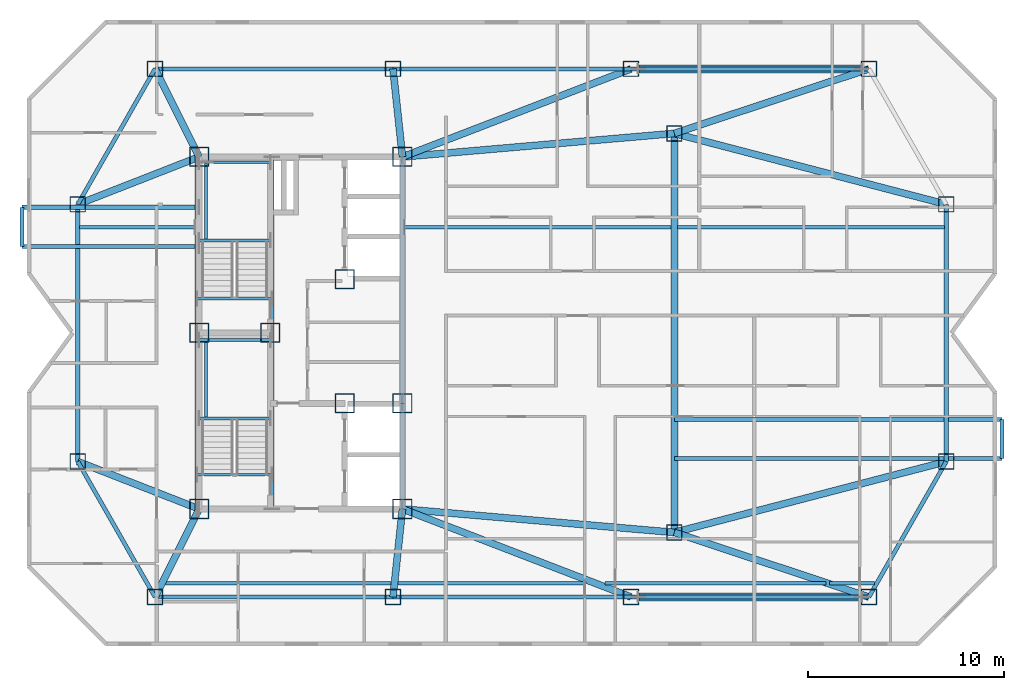
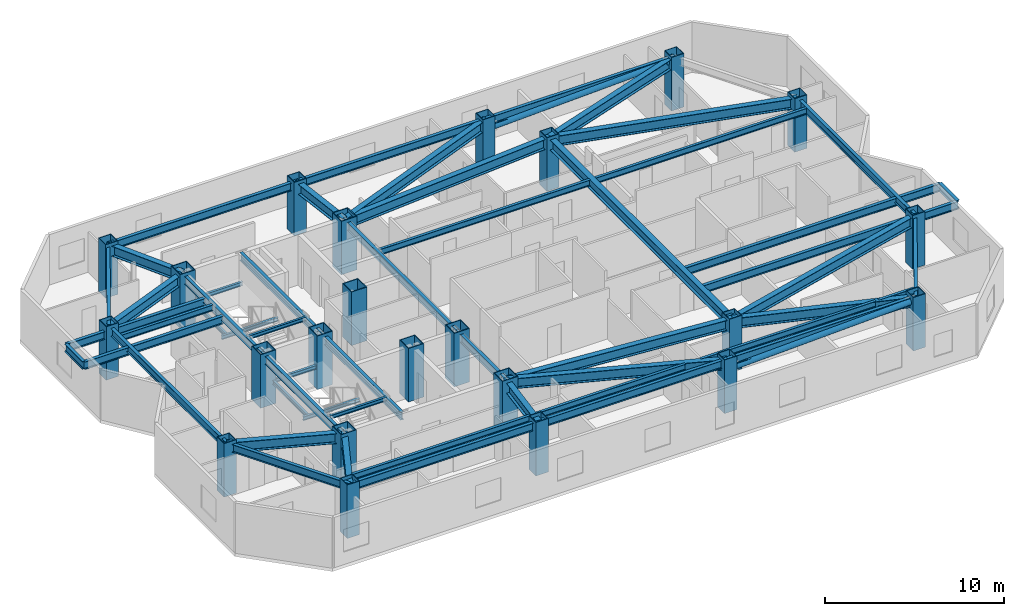
# One storey, part 1 of 9: 53 beams, 23 columns, 2 members.
"""IFC4 building model written with IfcOpenShell, lengths in metres."""

from ifc_helpers import new_model, si_unit, direction, frame, origin, origin_2d, place, context, subcontext, project, spatial, hollow_rectangle, hollow_circle, i_section, extrude, material, material_profile, profile_set, type_object, element, save


model = new_model("IFC4")

# Units and contexts
model_context = context("Model", 3, precision=1e-05, world=origin(), true_north=direction((0.0, 1.0)))
body_context = subcontext(model_context, "Body", "Model", "MODEL_VIEW")
ifc_project = project(units=[si_unit("LENGTHUNIT", "METRE"), si_unit("AREAUNIT", "SQUARE_METRE"), si_unit("VOLUMEUNIT", "CUBIC_METRE"), si_unit("PLANEANGLEUNIT", "RADIAN"), si_unit("MASSUNIT", "GRAM", prefix="KILO")], contexts=[model_context])

# Site, building, storey
site_placement = place(None, origin())
site = spatial("IfcSite", under=ifc_project, at=site_placement, CompositionType="ELEMENT")
building_placement = place(site_placement, origin())
building = spatial("IfcBuilding", under=site, at=building_placement, Name="Khamvora Tower", CompositionType="ELEMENT")
storey_placement = place(building_placement, frame((0.0, 0.0, 235.449951171875)))
storey = spatial("IfcBuildingStorey", under=building, at=storey_placement, Name="L60", CompositionType="ELEMENT", Elevation=235.449951171875)

# Columns
ifc_material_1 = material(Name="Steel S355", Category="steel")
ifc_material_profile_1 = material_profile(ifc_material_1, hollow_rectangle(XDim=0.800048828125, YDim=0.800048828125, WallThickness=0.0400390625, at=origin_2d()), Name="BOX800x800x40")
ifc_profile_set_1 = profile_set([ifc_material_profile_1], Name="Steel S355")
column_type_1 = type_object("IfcColumnType", Name="COL-BOX800", PredefinedType="COLUMN", material=ifc_profile_set_1)
for number, where, z_axis, x_axis, name in (
    (1, (26.75, 14.5, 0.0), (0.0, 0.0, 1.0), (1.0, 0.0, 0.0), "L60 structural frame column S1"),
    (2, (38.9169921875, 14.5, 0.0), (0.0, 0.0, 1.0), (1.0, 0.0, 0.0), "L60 structural frame column S2"),
    (3, (51.0830078125, 14.5, 0.0), (0.0, 0.0, 1.0), (1.0, 0.0, 0.0), "L60 structural frame column S3"),
    (4, (63.25, 14.5, 0.0), (0.0, 0.0, 1.0), (1.0, 0.0, 0.0), "L60 structural frame column S4"),
    (5, (26.75, 41.5, 0.0), (0.0, 0.0, 1.0), (1.0, 0.0, 0.0), "L60 structural frame column N1"),
    (6, (38.9169921875, 41.5, 0.0), (0.0, 0.0, 1.0), (1.0, 0.0, 0.0), "L60 structural frame column N2"),
    (7, (51.0830078125, 41.5, 0.0), (0.0, 0.0, 1.0), (1.0, 0.0, 0.0), "L60 structural frame column N3"),
    (8, (63.25, 41.5, 0.0), (0.0, 0.0, 1.0), (1.0, 0.0, 0.0), "L60 structural frame column N4"),
    (9, (22.800048828125, 21.425048828125, 0.0), (0.0, 0.0, 1.0), (1.0, 0.0, 0.0), "L60 structural frame column W1"),
    (10, (22.800048828125, 34.574951171875, 0.0), (0.0, 0.0, 1.0), (1.0, 0.0, 0.0), "L60 structural frame column W2"),
    (11, (67.199951171875, 21.425048828125, 0.0), (0.0, 0.0, 1.0), (1.0, 0.0, 0.0), "L60 structural frame column E1"),
    (12, (67.199951171875, 34.574951171875, 0.0), (0.0, 0.0, 1.0), (1.0, 0.0, 0.0), "L60 structural frame column E2"),
    (13, (53.300048828125, 17.800048828125, 0.0), (0.0, 0.0, 1.0), (1.0, 0.0, 0.0), "L60 structural frame column M1"),
    (14, (53.300048828125, 38.199951171875, 0.0), (0.0, 0.0, 1.0), (1.0, 0.0, 0.0), "L60 structural frame column M2"),
):
    element("IfcColumn", number, at=place(storey_placement, frame(where, z_axis=z_axis, x_axis=x_axis)), inside=storey, type_object=column_type_1, Name=name, PredefinedType="COLUMN", context=body_context, shape_type="SweptSolid", body=[
        extrude(hollow_rectangle(XDim=0.800048828125, YDim=0.800048828125, WallThickness=0.0400390625, at=origin_2d()), origin(), (0.0, 0.0, 1.0), 3.650146484375),
    ])
ifc_material_2 = material(Name="Structural Steel S460ML", Category="steel")
ifc_material_profile_2 = material_profile(ifc_material_2, hollow_rectangle(XDim=1.0, YDim=1.0, WallThickness=0.050048828125, at=origin_2d()), Name="BOX1000x1000x50")
ifc_profile_set_2 = profile_set([ifc_material_profile_2], Name="Structural Steel S460ML")
column_type_2 = type_object("IfcColumnType", Name="COL-SC-BOX1000", PredefinedType="COLUMN", material=ifc_profile_set_2)
for number, where, z_axis, x_axis, name in (
    (15, (29.0, 19.0, 0.0), (0.0, 0.0, 1.0), (1.0, 0.0, 0.0), "L60 plumb core spine column SC1"),
    (16, (32.64990234375, 28.0, 0.0), (0.0, 0.0, 1.0), (1.0, 0.0, 0.0), "L60 plumb core spine column SC2"),
    (17, (39.39990234375, 19.0, 0.0), (0.0, 0.0, 1.0), (1.0, 0.0, 0.0), "L60 plumb core spine column SC3"),
    (18, (29.0, 28.0, 0.0), (0.0, 0.0, 1.0), (1.0, 0.0, 0.0), "L60 plumb core spine column SC4"),
    (19, (36.449951171875, 24.39990234375, 0.0), (0.0, 0.0, 1.0), (1.0, 0.0, 0.0), "L60 plumb core spine column SC5"),
    (20, (39.39990234375, 24.39990234375, 0.0), (0.0, 0.0, 1.0), (1.0, 0.0, 0.0), "L60 plumb core spine column SC6"),
    (21, (29.0, 37.0, 0.0), (0.0, 0.0, 1.0), (1.0, 0.0, 0.0), "L60 plumb core spine column SC7"),
    (22, (36.449951171875, 30.75, 0.0), (0.0, 0.0, 1.0), (1.0, 0.0, 0.0), "L60 plumb core spine column SC8"),
    (23, (39.39990234375, 37.0, 0.0), (0.0, 0.0, 1.0), (1.0, 0.0, 0.0), "L60 plumb core spine column SC9"),
):
    element("IfcColumn", number, at=place(storey_placement, frame(where, z_axis=z_axis, x_axis=x_axis)), inside=storey, type_object=column_type_2, Name=name, PredefinedType="COLUMN", context=body_context, shape_type="SweptSolid", body=[
        extrude(hollow_rectangle(XDim=1.0, YDim=1.0, WallThickness=0.050048828125, at=origin_2d()), origin(), (0.0, 0.0, 1.0), 3.650146484375),
    ])

# Beams
ifc_material_profile_3 = material_profile(ifc_material_1, i_section(OverallWidth=0.177978515625, OverallDepth=0.406982421875, WebThickness=0.008056640625, FlangeThickness=0.012939453125, FilletRadius=0.010009765625, at=origin_2d()), Name="W410x60")
ifc_profile_set_3 = profile_set([ifc_material_profile_3], Name="Steel S355")
beam_type_1 = type_object("IfcBeamType", Name="BM-JS-W410x60", PredefinedType="JOIST", material=ifc_profile_set_3)
beam_1_placement = place(storey_placement, frame((27.29296875, 15.199951171875, 3.22705078125), z_axis=(1.0, 0.0, 0.0), x_axis=(0.0, 1.0, 0.0)))
element("IfcBeam", 24, at=beam_1_placement, inside=storey, type_object=beam_type_1, Name="L60 secondary floor joist 01", PredefinedType="JOIST", context=body_context, shape_type="SweptSolid", body=[
    extrude(i_section(OverallWidth=0.177978515625, OverallDepth=0.406982421875, WebThickness=0.008056640625, FlangeThickness=0.012939453125, FilletRadius=0.010009765625, at=origin_2d()), origin(), (0.0, 0.0, 1.0), 11.526123046875),
])
beam_2_placement = place(storey_placement, frame((39.166015625, 15.199951171875, 3.22705078125), z_axis=(1.0, 0.0, 0.0), x_axis=(0.0, 1.0, 0.0)))
element("IfcBeam", 25, at=beam_2_placement, inside=storey, type_object=beam_type_1, Name="L60 secondary floor joist 02", PredefinedType="JOIST", context=body_context, shape_type="SweptSolid", body=[
    extrude(i_section(OverallWidth=0.177978515625, OverallDepth=0.406982421875, WebThickness=0.008056640625, FlangeThickness=0.012939453125, FilletRadius=0.010009765625, at=origin_2d()), origin(), (0.0, 0.0, 1.0), 9.611083984375),
])
beam_3_placement = place(storey_placement, frame((49.75390625, 15.199951171875, 3.22705078125), z_axis=(1.0, 0.0, 0.0), x_axis=(0.0, 1.0, 0.0)))
element("IfcBeam", 26, at=beam_3_placement, inside=storey, type_object=beam_type_1, Name="L60 secondary floor joist 03", PredefinedType="JOIST", context=body_context, shape_type="SweptSolid", body=[
    extrude(i_section(OverallWidth=0.177978515625, OverallDepth=0.406982421875, WebThickness=0.008056640625, FlangeThickness=0.012939453125, FilletRadius=0.010009765625, at=origin_2d()), origin(), (0.0, 0.0, 1.0), 11.2900390625),
])
beam_4_placement = place(storey_placement, frame((61.23388671875, 15.199951171875, 3.22705078125), z_axis=(1.0, 0.0, 0.0), x_axis=(0.0, 1.0, 0.0)))
element("IfcBeam", 27, at=beam_4_placement, inside=storey, type_object=beam_type_1, Name="L60 secondary floor joist 04", PredefinedType="JOIST", context=body_context, shape_type="SweptSolid", body=[
    extrude(i_section(OverallWidth=0.177978515625, OverallDepth=0.406982421875, WebThickness=0.008056640625, FlangeThickness=0.012939453125, FilletRadius=0.010009765625, at=origin_2d()), origin(), (0.0, 0.0, 1.0), 2.300048828125),
])
beam_5_placement = place(storey_placement, frame((22.89892578125, 33.39990234375, 3.22705078125), z_axis=(1.0, 0.0, 0.0), x_axis=(0.0, 1.0, 0.0)))
element("IfcBeam", 28, at=beam_5_placement, inside=storey, type_object=beam_type_1, Name="L60 secondary floor joist 05", PredefinedType="JOIST", context=body_context, shape_type="SweptSolid", body=[
    extrude(i_section(OverallWidth=0.177978515625, OverallDepth=0.406982421875, WebThickness=0.008056640625, FlangeThickness=0.012939453125, FilletRadius=0.010009765625, at=origin_2d()), origin(), (0.0, 0.0, 1.0), 5.901123046875),
])
beam_6_placement = place(storey_placement, frame((39.4990234375, 33.39990234375, 3.22705078125), z_axis=(1.0, 0.0, 0.0), x_axis=(0.0, 1.0, 0.0)))
element("IfcBeam", 29, at=beam_6_placement, inside=storey, type_object=beam_type_1, Name="L60 secondary floor joist 06", PredefinedType="JOIST", context=body_context, shape_type="SweptSolid", body=[
    extrude(i_section(OverallWidth=0.177978515625, OverallDepth=0.406982421875, WebThickness=0.008056640625, FlangeThickness=0.012939453125, FilletRadius=0.010009765625, at=origin_2d()), origin(), (0.0, 0.0, 1.0), 13.6279296875),
])
beam_7_placement = place(storey_placement, frame((53.471923828125, 33.39990234375, 3.22705078125), z_axis=(1.0, 0.0, 0.0), x_axis=(0.0, 1.0, 0.0)))
element("IfcBeam", 30, at=beam_7_placement, inside=storey, type_object=beam_type_1, Name="L60 secondary floor joist 07", PredefinedType="JOIST", context=body_context, shape_type="SweptSolid", body=[
    extrude(i_section(OverallWidth=0.177978515625, OverallDepth=0.406982421875, WebThickness=0.008056640625, FlangeThickness=0.012939453125, FilletRadius=0.010009765625, at=origin_2d()), origin(), (0.0, 0.0, 1.0), 13.628173828125),
])
ifc_material_profile_4 = material_profile(ifc_material_1, i_section(OverallWidth=0.14697265625, OverallDepth=0.261962890625, WebThickness=0.007080078125, FlangeThickness=0.010986328125, FilletRadius=0.008056640625, at=origin_2d()), Name="W250x39")
ifc_profile_set_4 = profile_set([ifc_material_profile_4], Name="Steel S355")
beam_type_2 = type_object("IfcBeamType", Name="BM-LN-W250x39", PredefinedType="LINTEL", material=ifc_profile_set_4)
for number, where, z_axis, x_axis, name in (
    (31, (29.0, 23.635009765625, 1.494140625), (1.0, 0.0, 0.0), (0.0, 1.0, 0.0), "L60 ST-01 half-landing support beam 1.1"),
    (32, (29.0, 27.6298828125, 1.494140625), (1.0, 0.0, 0.0), (0.0, 1.0, 0.0), "L60 ST-01 half-landing support beam 1.2"),
):
    element("IfcBeam", number, at=place(storey_placement, frame(where, z_axis=z_axis, x_axis=x_axis)), inside=storey, type_object=beam_type_2, Name=name, PredefinedType="LINTEL", context=body_context, shape_type="SweptSolid", body=[
        extrude(i_section(OverallWidth=0.14697265625, OverallDepth=0.261962890625, WebThickness=0.007080078125, FlangeThickness=0.010986328125, FilletRadius=0.008056640625, at=origin_2d()), origin(), (0.0, 0.0, 1.0), 3.64990234375),
    ])
beam_8_placement = place(storey_placement, frame((29.35009765625, 23.635009765625, 1.494140625), z_axis=(0.0, 1.0, 0.0), x_axis=(-1.0, 0.0, 0.0)))
element("IfcBeam", 33, at=beam_8_placement, inside=storey, type_object=beam_type_2, Name="L60 ST-01 half-landing edge stringer 1", PredefinedType="LINTEL", context=body_context, shape_type="SweptSolid", body=[
    extrude(i_section(OverallWidth=0.14697265625, OverallDepth=0.261962890625, WebThickness=0.007080078125, FlangeThickness=0.010986328125, FilletRadius=0.008056640625, at=origin_2d()), origin(), (0.0, 0.0, 1.0), 3.994873046875),
])
for number, where, z_axis, x_axis, name in (
    (34, (29.0, 32.735107421875, 1.494140625), (1.0, 0.0, 0.0), (0.0, 1.0, 0.0), "L60 ST-02 half-landing support beam 1.1"),
    (35, (29.0, 36.72998046875, 1.494140625), (1.0, 0.0, 0.0), (0.0, 1.0, 0.0), "L60 ST-02 half-landing support beam 1.2"),
):
    element("IfcBeam", number, at=place(storey_placement, frame(where, z_axis=z_axis, x_axis=x_axis)), inside=storey, type_object=beam_type_2, Name=name, PredefinedType="LINTEL", context=body_context, shape_type="SweptSolid", body=[
        extrude(i_section(OverallWidth=0.14697265625, OverallDepth=0.261962890625, WebThickness=0.007080078125, FlangeThickness=0.010986328125, FilletRadius=0.008056640625, at=origin_2d()), origin(), (0.0, 0.0, 1.0), 3.64990234375),
    ])
beam_9_placement = place(storey_placement, frame((29.35009765625, 32.735107421875, 1.494140625), z_axis=(0.0, 1.0, 0.0), x_axis=(-1.0, 0.0, 0.0)))
element("IfcBeam", 36, at=beam_9_placement, inside=storey, type_object=beam_type_2, Name="L60 ST-02 half-landing edge stringer 1", PredefinedType="LINTEL", context=body_context, shape_type="SweptSolid", body=[
    extrude(i_section(OverallWidth=0.14697265625, OverallDepth=0.261962890625, WebThickness=0.007080078125, FlangeThickness=0.010986328125, FilletRadius=0.008056640625, at=origin_2d()), origin(), (0.0, 0.0, 1.0), 3.994873046875),
])
for number, where, z_axis, x_axis, name in (
    (37, (28.89990234375, 20.75, 3.303955078125), (1.0, 0.0, 0.0), (0.0, 1.0, 0.0), "L60 exit stair ST-01 landing trimmer beam"),
    (38, (28.89990234375, 29.75, 3.303955078125), (1.0, 0.0, 0.0), (0.0, 1.0, 0.0), "L60 exit stair ST-02 landing trimmer beam"),
):
    element("IfcBeam", number, at=place(storey_placement, frame(where, z_axis=z_axis, x_axis=x_axis)), inside=storey, type_object=beam_type_2, Name=name, PredefinedType="LINTEL", context=body_context, shape_type="SweptSolid", body=[
        extrude(i_section(OverallWidth=0.14697265625, OverallDepth=0.261962890625, WebThickness=0.007080078125, FlangeThickness=0.010986328125, FilletRadius=0.008056640625, at=origin_2d()), origin(), (0.0, 0.0, 1.0), 3.830078125),
    ])
ifc_material_profile_5 = material_profile(ifc_material_1, i_section(OverallWidth=0.35498046875, OverallDepth=0.695068359375, WebThickness=0.014892578125, FlangeThickness=0.02490234375, FilletRadius=0.01611328125, at=origin_2d()), Name="W690x217")
ifc_profile_set_5 = profile_set([ifc_material_profile_5], Name="Steel S355")
beam_type_3 = type_object("IfcBeamType", Name="BM-PG-W690x217", PredefinedType="BEAM", material=ifc_profile_set_5)
beam_10_placement = place(storey_placement, frame((53.300048828125, 17.800048828125, 3.08203125), z_axis=(0.0, 1.0, 0.0), x_axis=(-1.0, 0.0, 0.0)))
element("IfcBeam", 39, at=beam_10_placement, inside=storey, type_object=beam_type_3, Name="L60 longitudinal frame girder M1-M2", PredefinedType="BEAM", context=body_context, shape_type="SweptSolid", body=[
    extrude(i_section(OverallWidth=0.35498046875, OverallDepth=0.695068359375, WebThickness=0.014892578125, FlangeThickness=0.02490234375, FilletRadius=0.01611328125, at=origin_2d()), origin(), (0.0, 0.0, 1.0), 20.39990234375),
])
beam_11_placement = place(storey_placement, frame((29.0, 19.0, 3.08203125), z_axis=(-0.4472135955, -0.894427191, 0.0), x_axis=(0.894427191, -0.4472135955, 0.0)))
element("IfcBeam", 40, at=beam_11_placement, inside=storey, type_object=beam_type_3, Name="L60 primary floor girder S1", PredefinedType="BEAM", context=body_context, shape_type="SweptSolid", body=[
    extrude(i_section(OverallWidth=0.35498046875, OverallDepth=0.695068359375, WebThickness=0.014892578125, FlangeThickness=0.02490234375, FilletRadius=0.01611328125, at=origin_2d()), origin(), (0.0, 0.0, 1.0), 5.03125),
])
beam_12_placement = place(storey_placement, frame((39.39990234375, 19.0, 3.08203125), z_axis=(-0.106700735484, -0.994291181218, 0.0), x_axis=(0.994291181218, -0.106700735484, 0.0)))
element("IfcBeam", 41, at=beam_12_placement, inside=storey, type_object=beam_type_3, Name="L60 primary floor girder S2", PredefinedType="BEAM", context=body_context, shape_type="SweptSolid", body=[
    extrude(i_section(OverallWidth=0.35498046875, OverallDepth=0.695068359375, WebThickness=0.014892578125, FlangeThickness=0.02490234375, FilletRadius=0.01611328125, at=origin_2d()), origin(), (0.0, 0.0, 1.0), 4.52587890625),
])
beam_13_placement = place(storey_placement, frame((39.39990234375, 19.0, 3.08203125), z_axis=(0.933171601475, -0.359431164759, 0.0), x_axis=(0.359431164759, 0.933171601475, 0.0)))
element("IfcBeam", 42, at=beam_13_placement, inside=storey, type_object=beam_type_3, Name="L60 primary floor girder S3", PredefinedType="BEAM", context=body_context, shape_type="SweptSolid", body=[
    extrude(i_section(OverallWidth=0.35498046875, OverallDepth=0.695068359375, WebThickness=0.014892578125, FlangeThickness=0.02490234375, FilletRadius=0.01611328125, at=origin_2d()), origin(), (0.0, 0.0, 1.0), 12.519775390625),
])
beam_14_placement = place(storey_placement, frame((53.300048828125, 17.800048828125, 3.08203125), z_axis=(0.949157330029, -0.314802101092, 0.0), x_axis=(0.314802101092, 0.949157330029, 0.0)))
element("IfcBeam", 43, at=beam_14_placement, inside=storey, type_object=beam_type_3, Name="L60 primary floor girder S4", PredefinedType="BEAM", context=body_context, shape_type="SweptSolid", body=[
    extrude(i_section(OverallWidth=0.35498046875, OverallDepth=0.695068359375, WebThickness=0.014892578125, FlangeThickness=0.02490234375, FilletRadius=0.01611328125, at=origin_2d()), origin(), (0.0, 0.0, 1.0), 10.48291015625),
])
beam_15_placement = place(storey_placement, frame((29.0, 37.0, 3.08203125), z_axis=(-0.4472135955, 0.894427191, 0.0), x_axis=(-0.894427191, -0.4472135955, 0.0)))
element("IfcBeam", 44, at=beam_15_placement, inside=storey, type_object=beam_type_3, Name="L60 primary floor girder N1", PredefinedType="BEAM", context=body_context, shape_type="SweptSolid", body=[
    extrude(i_section(OverallWidth=0.35498046875, OverallDepth=0.695068359375, WebThickness=0.014892578125, FlangeThickness=0.02490234375, FilletRadius=0.01611328125, at=origin_2d()), origin(), (0.0, 0.0, 1.0), 5.03125),
])
beam_16_placement = place(storey_placement, frame((39.39990234375, 37.0, 3.08203125), z_axis=(-0.106700735484, 0.994291181218, 0.0), x_axis=(-0.994291181218, -0.106700735484, 0.0)))
element("IfcBeam", 45, at=beam_16_placement, inside=storey, type_object=beam_type_3, Name="L60 primary floor girder N2", PredefinedType="BEAM", context=body_context, shape_type="SweptSolid", body=[
    extrude(i_section(OverallWidth=0.35498046875, OverallDepth=0.695068359375, WebThickness=0.014892578125, FlangeThickness=0.02490234375, FilletRadius=0.01611328125, at=origin_2d()), origin(), (0.0, 0.0, 1.0), 4.52587890625),
])
beam_17_placement = place(storey_placement, frame((39.39990234375, 37.0, 3.08203125), z_axis=(0.933171601475, 0.359431164759, 0.0), x_axis=(-0.359431164759, 0.933171601475, 0.0)))
element("IfcBeam", 46, at=beam_17_placement, inside=storey, type_object=beam_type_3, Name="L60 primary floor girder N3", PredefinedType="BEAM", context=body_context, shape_type="SweptSolid", body=[
    extrude(i_section(OverallWidth=0.35498046875, OverallDepth=0.695068359375, WebThickness=0.014892578125, FlangeThickness=0.02490234375, FilletRadius=0.01611328125, at=origin_2d()), origin(), (0.0, 0.0, 1.0), 12.519775390625),
])
beam_18_placement = place(storey_placement, frame((53.300048828125, 38.199951171875, 3.08203125), z_axis=(0.949157330029, 0.314802101092, 0.0), x_axis=(-0.314802101092, 0.949157330029, 0.0)))
element("IfcBeam", 47, at=beam_18_placement, inside=storey, type_object=beam_type_3, Name="L60 primary floor girder N4", PredefinedType="BEAM", context=body_context, shape_type="SweptSolid", body=[
    extrude(i_section(OverallWidth=0.35498046875, OverallDepth=0.695068359375, WebThickness=0.014892578125, FlangeThickness=0.02490234375, FilletRadius=0.01611328125, at=origin_2d()), origin(), (0.0, 0.0, 1.0), 10.48291015625),
])
for number, where, z_axis, x_axis, name in (
    (48, (29.0, 19.0, 3.08203125), (-0.931294712743, 0.36426660294, 0.0), (-0.36426660294, -0.931294712743, 0.0), "L60 primary floor girder W1"),
    (49, (29.0, 37.0, 3.08203125), (-0.931294712743, -0.36426660294, 0.0), (0.36426660294, -0.931294712743, 0.0), "L60 primary floor girder W2"),
):
    element("IfcBeam", number, at=place(storey_placement, frame(where, z_axis=z_axis, x_axis=x_axis)), inside=storey, type_object=beam_type_3, Name=name, PredefinedType="BEAM", context=body_context, shape_type="SweptSolid", body=[
        extrude(i_section(OverallWidth=0.35498046875, OverallDepth=0.695068359375, WebThickness=0.014892578125, FlangeThickness=0.02490234375, FilletRadius=0.01611328125, at=origin_2d()), origin(), (0.0, 0.0, 1.0), 6.6572265625),
    ])
for number, where, z_axis, x_axis, name in (
    (50, (53.300048828125, 17.800048828125, 3.08203125), (0.967635318494, 0.252352710314, 0.0), (-0.252352710314, 0.967635318494, 0.0), "L60 primary floor girder E1"),
    (51, (53.300048828125, 38.199951171875, 3.08203125), (0.967635318494, -0.252352710314, 0.0), (0.252352710314, 0.967635318494, 0.0), "L60 primary floor girder E2"),
):
    element("IfcBeam", number, at=place(storey_placement, frame(where, z_axis=z_axis, x_axis=x_axis)), inside=storey, type_object=beam_type_3, Name=name, PredefinedType="BEAM", context=body_context, shape_type="SweptSolid", body=[
        extrude(i_section(OverallWidth=0.35498046875, OverallDepth=0.695068359375, WebThickness=0.014892578125, FlangeThickness=0.02490234375, FilletRadius=0.01611328125, at=origin_2d()), origin(), (0.0, 0.0, 1.0), 14.36474609375),
    ])
for number, where, z_axis, x_axis, name in (
    (52, (39.39990234375, 19.0, 3.08203125), (0.996294564212, -0.08600663534, 0.0), (0.08600663534, 0.996294564212, 0.0), "L60 primary floor girder M1"),
    (53, (39.39990234375, 37.0, 3.08203125), (0.996294564212, 0.08600663534, 0.0), (-0.08600663534, 0.996294564212, 0.0), "L60 primary floor girder M2"),
):
    element("IfcBeam", number, at=place(storey_placement, frame(where, z_axis=z_axis, x_axis=x_axis)), inside=storey, type_object=beam_type_3, Name=name, PredefinedType="BEAM", context=body_context, shape_type="SweptSolid", body=[
        extrude(i_section(OverallWidth=0.35498046875, OverallDepth=0.695068359375, WebThickness=0.014892578125, FlangeThickness=0.02490234375, FilletRadius=0.01611328125, at=origin_2d()), origin(), (0.0, 0.0, 1.0), 13.951904296875),
    ])
ifc_material_profile_6 = material_profile(ifc_material_1, i_section(OverallWidth=0.208984375, OverallDepth=0.532958984375, WebThickness=0.010009765625, FlangeThickness=0.01611328125, FilletRadius=0.013916015625, at=origin_2d()), Name="W530x92")
ifc_profile_set_6 = profile_set([ifc_material_profile_6], Name="Steel S355")
beam_type_4 = type_object("IfcBeamType", Name="BM-SP-W530x92", PredefinedType="SPANDREL", material=ifc_profile_set_6)
beam_19_placement = place(storey_placement, frame((22.800048828125, 21.425048828125, 3.1630859375), z_axis=(0.495456118564, -0.868632968853, 0.0), x_axis=(0.868632968853, 0.495456118564, 0.0)))
element("IfcBeam", 54, at=beam_19_placement, inside=storey, type_object=beam_type_4, Name="L60 perimeter spandrel beam W1-S1", PredefinedType="SPANDREL", context=body_context, shape_type="SweptSolid", body=[
    extrude(i_section(OverallWidth=0.208984375, OverallDepth=0.532958984375, WebThickness=0.010009765625, FlangeThickness=0.01611328125, FilletRadius=0.013916015625, at=origin_2d()), origin(), (0.0, 0.0, 1.0), 7.972412109375),
])
beam_20_placement = place(storey_placement, frame((26.75, 14.5, 3.1630859375), z_axis=(1.0, 0.0, 0.0), x_axis=(0.0, 1.0, 0.0)))
element("IfcBeam", 55, at=beam_20_placement, inside=storey, type_object=beam_type_4, Name="L60 perimeter spandrel beam S1-S2", PredefinedType="SPANDREL", context=body_context, shape_type="SweptSolid", body=[
    extrude(i_section(OverallWidth=0.208984375, OverallDepth=0.532958984375, WebThickness=0.010009765625, FlangeThickness=0.01611328125, FilletRadius=0.013916015625, at=origin_2d()), origin(), (0.0, 0.0, 1.0), 12.1669921875),
])
beam_21_placement = place(storey_placement, frame((38.9169921875, 14.5, 3.1630859375), z_axis=(1.0, 0.0, 0.0), x_axis=(0.0, 1.0, 0.0)))
element("IfcBeam", 56, at=beam_21_placement, inside=storey, type_object=beam_type_4, Name="L60 perimeter spandrel beam S2-S3", PredefinedType="SPANDREL", context=body_context, shape_type="SweptSolid", body=[
    extrude(i_section(OverallWidth=0.208984375, OverallDepth=0.532958984375, WebThickness=0.010009765625, FlangeThickness=0.01611328125, FilletRadius=0.013916015625, at=origin_2d()), origin(), (0.0, 0.0, 1.0), 12.166015625),
])
beam_22_placement = place(storey_placement, frame((51.0830078125, 14.5, 3.1630859375), z_axis=(1.0, 0.0, 0.0), x_axis=(0.0, 1.0, 0.0)))
element("IfcBeam", 57, at=beam_22_placement, inside=storey, type_object=beam_type_4, Name="L60 perimeter spandrel beam S3-S4", PredefinedType="SPANDREL", context=body_context, shape_type="SweptSolid", body=[
    extrude(i_section(OverallWidth=0.208984375, OverallDepth=0.532958984375, WebThickness=0.010009765625, FlangeThickness=0.01611328125, FilletRadius=0.013916015625, at=origin_2d()), origin(), (0.0, 0.0, 1.0), 12.1669921875),
])
beam_23_placement = place(storey_placement, frame((63.25, 14.5, 3.1630859375), z_axis=(0.495456118564, 0.868632968853, 0.0), x_axis=(-0.868632968853, 0.495456118564, 0.0)))
element("IfcBeam", 58, at=beam_23_placement, inside=storey, type_object=beam_type_4, Name="L60 perimeter spandrel beam S4-E1", PredefinedType="SPANDREL", context=body_context, shape_type="SweptSolid", body=[
    extrude(i_section(OverallWidth=0.208984375, OverallDepth=0.532958984375, WebThickness=0.010009765625, FlangeThickness=0.01611328125, FilletRadius=0.013916015625, at=origin_2d()), origin(), (0.0, 0.0, 1.0), 7.972412109375),
])
beam_24_placement = place(storey_placement, frame((67.199951171875, 21.425048828125, 3.1630859375), z_axis=(0.0, 1.0, 0.0), x_axis=(-1.0, 0.0, 0.0)))
element("IfcBeam", 59, at=beam_24_placement, inside=storey, type_object=beam_type_4, Name="L60 perimeter spandrel beam E1-E2", PredefinedType="SPANDREL", context=body_context, shape_type="SweptSolid", body=[
    extrude(i_section(OverallWidth=0.208984375, OverallDepth=0.532958984375, WebThickness=0.010009765625, FlangeThickness=0.01611328125, FilletRadius=0.013916015625, at=origin_2d()), origin(), (0.0, 0.0, 1.0), 13.14990234375),
])
beam_25_placement = place(storey_placement, frame((63.25, 41.5, 3.1630859375), z_axis=(-1.0, 0.0, 0.0), x_axis=(0.0, -1.0, 0.0)))
element("IfcBeam", 60, at=beam_25_placement, inside=storey, type_object=beam_type_4, Name="L60 perimeter spandrel beam N4-N3", PredefinedType="SPANDREL", context=body_context, shape_type="SweptSolid", body=[
    extrude(i_section(OverallWidth=0.208984375, OverallDepth=0.532958984375, WebThickness=0.010009765625, FlangeThickness=0.01611328125, FilletRadius=0.013916015625, at=origin_2d()), origin(), (0.0, 0.0, 1.0), 12.1669921875),
])
beam_26_placement = place(storey_placement, frame((51.0830078125, 41.5, 3.1630859375), z_axis=(-1.0, 0.0, 0.0), x_axis=(0.0, -1.0, 0.0)))
element("IfcBeam", 61, at=beam_26_placement, inside=storey, type_object=beam_type_4, Name="L60 perimeter spandrel beam N3-N2", PredefinedType="SPANDREL", context=body_context, shape_type="SweptSolid", body=[
    extrude(i_section(OverallWidth=0.208984375, OverallDepth=0.532958984375, WebThickness=0.010009765625, FlangeThickness=0.01611328125, FilletRadius=0.013916015625, at=origin_2d()), origin(), (0.0, 0.0, 1.0), 12.166015625),
])
beam_27_placement = place(storey_placement, frame((38.9169921875, 41.5, 3.1630859375), z_axis=(-1.0, 0.0, 0.0), x_axis=(0.0, -1.0, 0.0)))
element("IfcBeam", 62, at=beam_27_placement, inside=storey, type_object=beam_type_4, Name="L60 perimeter spandrel beam N2-N1", PredefinedType="SPANDREL", context=body_context, shape_type="SweptSolid", body=[
    extrude(i_section(OverallWidth=0.208984375, OverallDepth=0.532958984375, WebThickness=0.010009765625, FlangeThickness=0.01611328125, FilletRadius=0.013916015625, at=origin_2d()), origin(), (0.0, 0.0, 1.0), 12.1669921875),
])
beam_28_placement = place(storey_placement, frame((26.75, 41.5, 3.1630859375), z_axis=(-0.495456118564, -0.868632968853, 0.0), x_axis=(0.868632968853, -0.495456118564, 0.0)))
element("IfcBeam", 63, at=beam_28_placement, inside=storey, type_object=beam_type_4, Name="L60 perimeter spandrel beam N1-W2", PredefinedType="SPANDREL", context=body_context, shape_type="SweptSolid", body=[
    extrude(i_section(OverallWidth=0.208984375, OverallDepth=0.532958984375, WebThickness=0.010009765625, FlangeThickness=0.01611328125, FilletRadius=0.013916015625, at=origin_2d()), origin(), (0.0, 0.0, 1.0), 7.972412109375),
])
beam_29_placement = place(storey_placement, frame((22.800048828125, 34.574951171875, 3.1630859375), z_axis=(0.0, -1.0, 0.0), x_axis=(1.0, 0.0, 0.0)))
element("IfcBeam", 64, at=beam_29_placement, inside=storey, type_object=beam_type_4, Name="L60 perimeter spandrel beam W2-W1", PredefinedType="SPANDREL", context=body_context, shape_type="SweptSolid", body=[
    extrude(i_section(OverallWidth=0.208984375, OverallDepth=0.532958984375, WebThickness=0.010009765625, FlangeThickness=0.01611328125, FilletRadius=0.013916015625, at=origin_2d()), origin(), (0.0, 0.0, 1.0), 13.14990234375),
])
for number, where, z_axis, x_axis, name in (
    (65, (28.89990234375, 19.0, 3.1630859375), (0.0, 1.0, 0.0), (-1.0, 0.0, 0.0), "L60 core spine girder WS"),
    (66, (28.89990234375, 28.0, 3.1630859375), (0.0, 1.0, 0.0), (-1.0, 0.0, 0.0), "L60 core spine girder WN"),
    (67, (32.72998046875, 19.0, 3.1630859375), (0.0, 1.0, 0.0), (-1.0, 0.0, 0.0), "L60 core spine girder M1S"),
    (68, (32.72998046875, 28.0, 3.1630859375), (0.0, 1.0, 0.0), (-1.0, 0.0, 0.0), "L60 core spine girder M1N"),
):
    element("IfcBeam", number, at=place(storey_placement, frame(where, z_axis=z_axis, x_axis=x_axis)), inside=storey, type_object=beam_type_4, Name=name, PredefinedType="SPANDREL", context=body_context, shape_type="SweptSolid", body=[
        extrude(i_section(OverallWidth=0.208984375, OverallDepth=0.532958984375, WebThickness=0.010009765625, FlangeThickness=0.01611328125, FilletRadius=0.013916015625, at=origin_2d()), origin(), (0.0, 0.0, 1.0), 9.0),
    ])
beam_30_placement = place(storey_placement, frame((39.39990234375, 19.0, 3.1630859375), z_axis=(0.0, 1.0, 0.0), x_axis=(-1.0, 0.0, 0.0)))
element("IfcBeam", 69, at=beam_30_placement, inside=storey, type_object=beam_type_4, Name="L60 core spine girder ES", PredefinedType="SPANDREL", context=body_context, shape_type="SweptSolid", body=[
    extrude(i_section(OverallWidth=0.208984375, OverallDepth=0.532958984375, WebThickness=0.010009765625, FlangeThickness=0.01611328125, FilletRadius=0.013916015625, at=origin_2d()), origin(), (0.0, 0.0, 1.0), 5.39990234375),
])
beam_31_placement = place(storey_placement, frame((39.39990234375, 24.39990234375, 3.1630859375), z_axis=(0.0, 1.0, 0.0), x_axis=(-1.0, 0.0, 0.0)))
element("IfcBeam", 70, at=beam_31_placement, inside=storey, type_object=beam_type_4, Name="L60 core spine girder EN", PredefinedType="SPANDREL", context=body_context, shape_type="SweptSolid", body=[
    extrude(i_section(OverallWidth=0.208984375, OverallDepth=0.532958984375, WebThickness=0.010009765625, FlangeThickness=0.01611328125, FilletRadius=0.013916015625, at=origin_2d()), origin(), (0.0, 0.0, 1.0), 12.60009765625),
])
for number, where, z_axis, x_axis, name in (
    (71, (53.300048828125, 21.574951171875, 2.963134765625), (1.0, 0.0, 0.0), (0.0, 1.0, 0.0), "L60 continuous gallery cantilever girder L61-EL1-1"),
    (72, (53.300048828125, 23.574951171875, 2.963134765625), (1.0, 0.0, 0.0), (0.0, 1.0, 0.0), "L60 continuous gallery cantilever girder L61-EL1-2"),
):
    element("IfcBeam", number, at=place(storey_placement, frame(where, z_axis=z_axis, x_axis=x_axis)), inside=storey, type_object=beam_type_4, Name=name, PredefinedType="SPANDREL", context=body_context, shape_type="SweptSolid", body=[
        extrude(i_section(OverallWidth=0.208984375, OverallDepth=0.532958984375, WebThickness=0.010009765625, FlangeThickness=0.01611328125, FilletRadius=0.013916015625, at=origin_2d()), origin(), (0.0, 0.0, 1.0), 16.75),
    ])
beam_32_placement = place(storey_placement, frame((70.050048828125, 21.574951171875, 2.963134765625), z_axis=(0.0, 1.0, 0.0), x_axis=(-1.0, 0.0, 0.0)))
element("IfcBeam", 73, at=beam_32_placement, inside=storey, type_object=beam_type_4, Name="L60 external gallery edge header beam L61-EL1", PredefinedType="SPANDREL", context=body_context, shape_type="SweptSolid", body=[
    extrude(i_section(OverallWidth=0.208984375, OverallDepth=0.532958984375, WebThickness=0.010009765625, FlangeThickness=0.01611328125, FilletRadius=0.013916015625, at=origin_2d()), origin(), (0.0, 0.0, 1.0), 2.0),
])
for number, where, z_axis, x_axis, name in (
    (74, (29.0, 32.425048828125, 2.963134765625), (-1.0, 0.0, 0.0), (0.0, -1.0, 0.0), "L60 continuous gallery cantilever girder L61-WL2-1"),
    (75, (29.0, 34.425048828125, 2.963134765625), (-1.0, 0.0, 0.0), (0.0, -1.0, 0.0), "L60 continuous gallery cantilever girder L61-WL2-2"),
):
    element("IfcBeam", number, at=place(storey_placement, frame(where, z_axis=z_axis, x_axis=x_axis)), inside=storey, type_object=beam_type_4, Name=name, PredefinedType="SPANDREL", context=body_context, shape_type="SweptSolid", body=[
        extrude(i_section(OverallWidth=0.208984375, OverallDepth=0.532958984375, WebThickness=0.010009765625, FlangeThickness=0.01611328125, FilletRadius=0.013916015625, at=origin_2d()), origin(), (0.0, 0.0, 1.0), 9.050048828125),
    ])
beam_33_placement = place(storey_placement, frame((19.949951171875, 32.425048828125, 2.963134765625), z_axis=(0.0, 1.0, 0.0), x_axis=(-1.0, 0.0, 0.0)))
element("IfcBeam", 76, at=beam_33_placement, inside=storey, type_object=beam_type_4, Name="L60 external gallery edge header beam L61-WL2", PredefinedType="SPANDREL", context=body_context, shape_type="SweptSolid", body=[
    extrude(i_section(OverallWidth=0.208984375, OverallDepth=0.532958984375, WebThickness=0.010009765625, FlangeThickness=0.01611328125, FilletRadius=0.013916015625, at=origin_2d()), origin(), (0.0, 0.0, 1.0), 2.0),
])

# Members
ifc_material_profile_7 = material_profile(ifc_material_1, hollow_circle(Radius=0.202880859375, WallThickness=0.01611328125, at=origin_2d()), Name="CHS406x16")
ifc_profile_set_7 = profile_set([ifc_material_profile_7], Name="Steel S355")
member_type = type_object("IfcMemberType", Name="MEM-BR-CHS406", PredefinedType="BRACE", material=ifc_profile_set_7)
for number, where, z_axis, x_axis, name in (
    (77, (51.462890625, 14.5, 2.695068359375), (0.999212836813, 0.0, 0.039669972868), (0.0, 1.0, 0.0), "L60 perimeter wind brace 1"),
    (78, (51.462890625, 41.5, 2.695068359375), (0.999212836813, 0.0, 0.039669972868), (0.0, 1.0, 0.0), "L60 perimeter wind brace 2"),
):
    element("IfcMember", number, at=place(storey_placement, frame(where, z_axis=z_axis, x_axis=x_axis)), inside=storey, type_object=member_type, Name=name, PredefinedType="BRACE", context=body_context, shape_type="SweptSolid", body=[
        extrude(hollow_circle(Radius=0.202880859375, WallThickness=0.01611328125, at=origin_2d()), origin(), (0.0, 0.0, 1.0), 11.416259765625),
    ])

save(model, "model.ifc")
